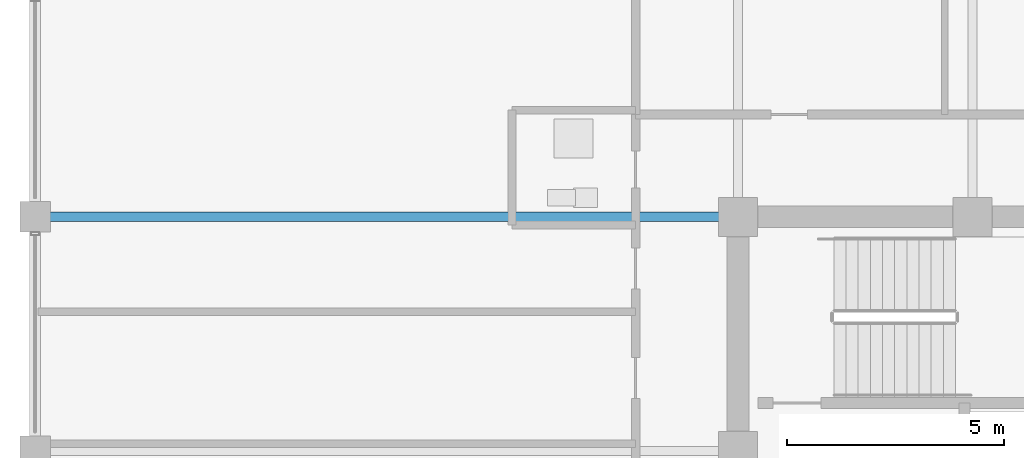
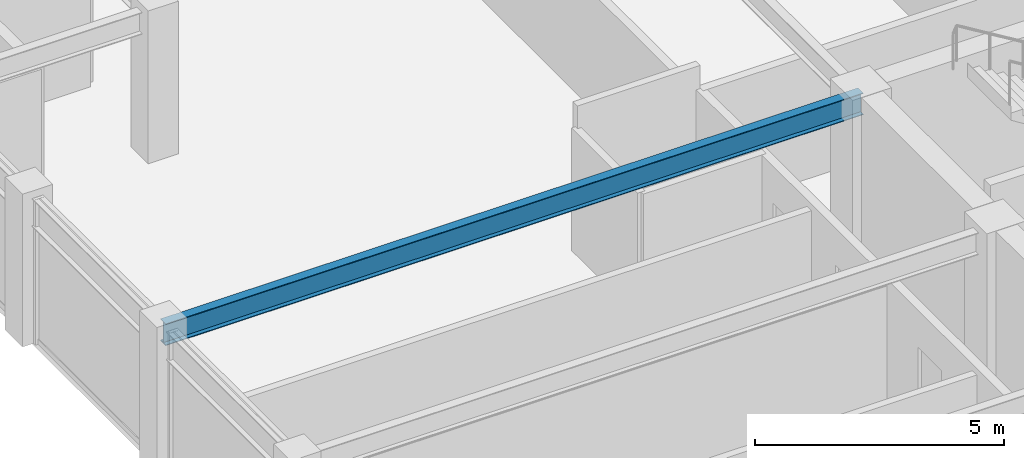
# One storey, part 15 of 30: 1 beam.
"""IFC4 building model written with IfcOpenShell, lengths in metres."""

from ifc_helpers import new_model, si_unit, direction, frame, origin, origin_2d, place, context, subcontext, project, spatial, i_section, extrude, material, material_profile, profile_set, type_object, element, save


model = new_model("IFC4")

# Units and contexts
model_context = context("Model", 3, precision=1e-05, world=origin(), true_north=direction((0.0, 1.0)))
body_context = subcontext(model_context, "Body", "Model", "MODEL_VIEW")
ifc_project = project(units=[si_unit("LENGTHUNIT", "METRE"), si_unit("AREAUNIT", "SQUARE_METRE"), si_unit("VOLUMEUNIT", "CUBIC_METRE"), si_unit("PLANEANGLEUNIT", "RADIAN"), si_unit("MASSUNIT", "GRAM", prefix="KILO")], contexts=[model_context])

# Site, building, storey
site_placement = place(None, origin())
site = spatial("IfcSite", under=ifc_project, at=site_placement, CompositionType="ELEMENT")
building_placement = place(site_placement, origin())
building = spatial("IfcBuilding", under=site, at=building_placement, Name="Surkhivell Harbour Commons", CompositionType="ELEMENT")
storey_placement = place(building_placement, frame((0.0, 0.0, 292.5)))
storey = spatial("IfcBuildingStorey", under=building, at=storey_placement, Name="L76", CompositionType="ELEMENT", Elevation=292.5)

# Beam
ifc_material = material(Name="Steel S355", Category="steel")
ifc_material_profile = material_profile(ifc_material, i_section(OverallWidth=0.2099609375, OverallDepth=0.537109375, WebThickness=0.0107421875, FlangeThickness=0.017333984375, at=origin_2d()), Name="UB533x210x101")
ifc_profile_set = profile_set([ifc_material_profile], Name="Steel S355")
beam_type = type_object("IfcBeamType", Name="BM-GRD-533B", PredefinedType="BEAM", material=ifc_profile_set)
beam_placement = place(storey_placement, frame((-27.0, 10.800048828125, 3.301513671875), z_axis=(1.0, 0.0, 0.0), x_axis=(0.0, 1.0, 0.0)))
element("IfcBeam", 1, at=beam_placement, inside=storey, type_object=beam_type, Name="L76 Floor Girder (-27.0,10.8)", PredefinedType="BEAM", context=body_context, shape_type="SweptSolid", body=[
    extrude(i_section(OverallWidth=0.2099609375, OverallDepth=0.537109375, WebThickness=0.0107421875, FlangeThickness=0.017333984375, at=origin_2d()), origin(), (0.0, 0.0, 1.0), 16.199951171875),
])

save(model, "model.ifc")
